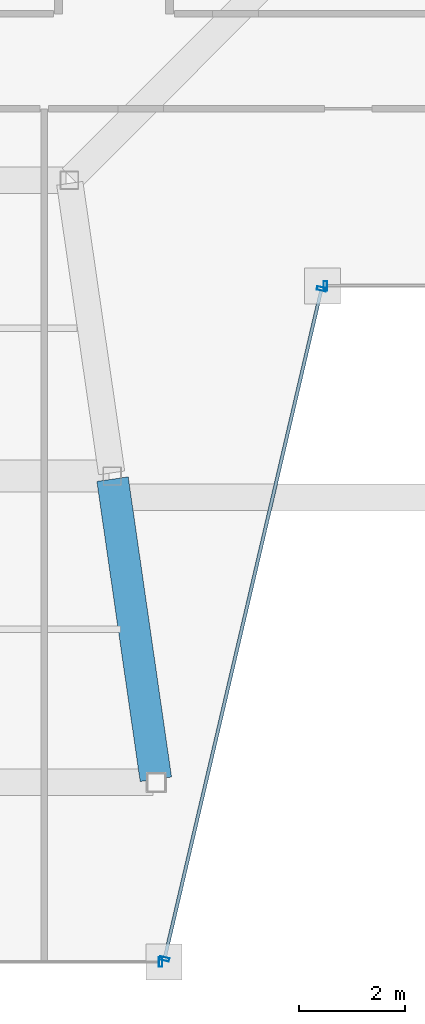
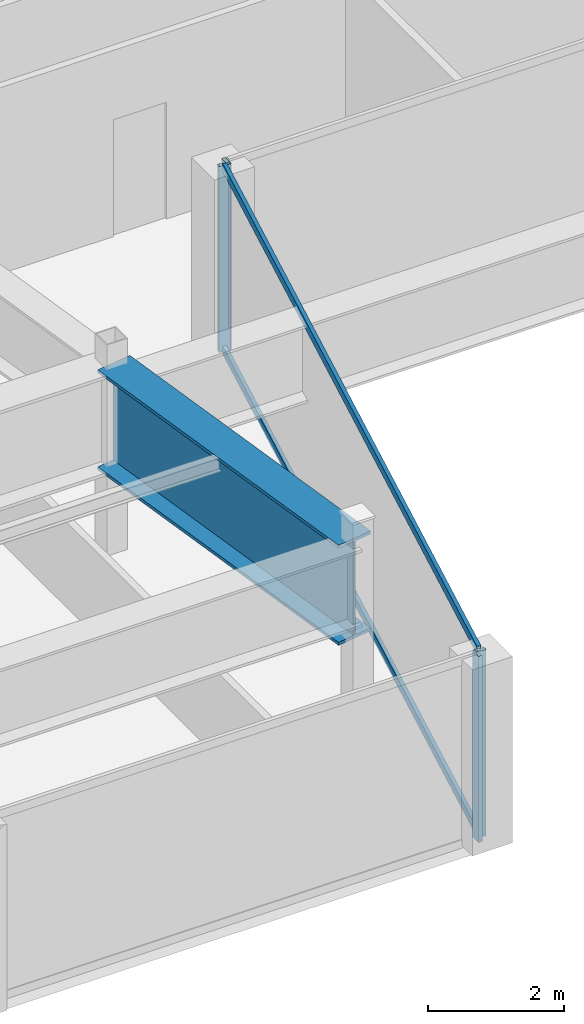
# One storey, part 6 of 30: 6 members, 1 beam, 3 elements without a shape of their own.
"""IFC4 building model written with IfcOpenShell, lengths in metres."""

from ifc_helpers import new_model, si_unit, direction, frame, origin, origin_2d, place, context, subcontext, project, spatial, hollow_rectangle, i_section, extrude, material, material_profile, profile_set, type_object, element, aggregate, save


model = new_model("IFC4")

# Units and contexts
model_context = context("Model", 3, precision=1e-05, world=origin(), true_north=direction((0.0, 1.0)))
body_context = subcontext(model_context, "Body", "Model", "MODEL_VIEW")
ifc_project = project(units=[si_unit("LENGTHUNIT", "METRE"), si_unit("AREAUNIT", "SQUARE_METRE"), si_unit("VOLUMEUNIT", "CUBIC_METRE"), si_unit("PLANEANGLEUNIT", "RADIAN"), si_unit("MASSUNIT", "GRAM", prefix="KILO")], contexts=[model_context])

# Site, building, storey
site_placement = place(None, origin())
site = spatial("IfcSite", under=ifc_project, at=site_placement, CompositionType="ELEMENT")
building_placement = place(site_placement, origin())
building = spatial("IfcBuilding", under=site, at=building_placement, Name="Saevonmaru Cultural Tower", CompositionType="ELEMENT")
storey_placement = place(building_placement, frame((0.0, 0.0, 272.39990234375)))
storey = spatial("IfcBuildingStorey", under=building, at=storey_placement, Name="L64", CompositionType="ELEMENT", Elevation=272.39990234375)

# Beam
ifc_material_1 = material(Name="Steel HSA600 (600 MPa)", Category="steel")
ifc_material_profile_1 = material_profile(ifc_material_1, i_section(OverallWidth=0.60009765625, OverallDepth=1.800048828125, WebThickness=0.028076171875, FlangeThickness=0.054931640625, at=origin_2d()), Name="PG-1800x600x28x55")
ifc_profile_set_1 = profile_set([ifc_material_profile_1], Name="Steel HSA600 (600 MPa)")
beam_type = type_object("IfcBeamType", Name="BM-TG-PG1800", PredefinedType="BEAM", material=ifc_profile_set_1)
beam_placement = place(storey_placement, frame((20.4453125, 26.259521484375, 2.4501953125), z_axis=(-0.142826510921, 0.989747739466, 0.0), x_axis=(-0.989747739466, -0.142826510921, 0.0)))
element("IfcBeam", 1, at=beam_placement, inside=storey, type_object=beam_type, Name="L64 West Atrium Girder 1", PredefinedType="BEAM", context=body_context, shape_type="SweptSolid", body=[
    extrude(i_section(OverallWidth=0.60009765625, OverallDepth=1.800048828125, WebThickness=0.028076171875, FlangeThickness=0.054931640625, at=origin_2d()), origin(), (0.0, 0.0, 1.0), 5.739990234375),
])

# Curtain wall, member
ifc_material_2 = material(Name="Satin Bronze Anodised Aluminium", Category="aluminium")
curtain_wall_type = type_object("IfcCurtainWallType", Name="CW-TYP-B", PredefinedType="NOTDEFINED", material=ifc_material_2)
curtain_wall_1_placement = place(storey_placement, origin())
curtain_wall_1 = element("IfcCurtainWall", 2, at=curtain_wall_1_placement, inside=storey, type_object=curtain_wall_type, Name="L64 Unitised Curtain Wall E2", PredefinedType="NOTDEFINED")
ifc_material_profile_2 = material_profile(ifc_material_2, hollow_rectangle(XDim=0.06494140625, YDim=0.179931640625, WallThickness=0.00390625, at=origin_2d()), Name="ALU-MULL-180x65x4")
ifc_profile_set_2 = profile_set([ifc_material_profile_2], Name="Satin Bronze Anodised Aluminium")
member_type_1 = type_object("IfcMemberType", Name="ML-CW-180x65", PredefinedType="MULLION", material=ifc_profile_set_2)
member_1_placement = place(storey_placement, frame((20.53564453125, 22.800048828125, 0.0), z_axis=(0.0, 0.0, 1.0), x_axis=(1.0, 0.0, 0.0)))
member_1 = element("IfcMember", 3, at=member_1_placement, type_object=member_type_1, Name="CW-TW-L64-E2 mullion 2", PredefinedType="MULLION", context=body_context, shape_type="SweptSolid", body=[
    extrude(hollow_rectangle(XDim=0.06494140625, YDim=0.179931640625, WallThickness=0.00390625, at=origin_2d()), origin(), (0.0, 0.0, 1.0), 3.35009765625),
])
aggregate(curtain_wall_1, [member_1])

# Curtain wall, members
curtain_wall_2_placement = place(storey_placement, origin())
curtain_wall_2 = element("IfcCurtainWall", 4, at=curtain_wall_2_placement, inside=storey, type_object=curtain_wall_type, Name="L64 Unitised Curtain Wall E3", PredefinedType="NOTDEFINED")
member_2_placement = place(storey_placement, frame((20.609375, 22.8583984375, 0.0), z_axis=(0.0, 0.0, 1.0), x_axis=(0.228189509449, 0.973616735568, 0.0)))
member_2 = element("IfcMember", 5, at=member_2_placement, type_object=member_type_1, Name="CW-TW-L64-E3 mullion 1", PredefinedType="MULLION", context=body_context, shape_type="SweptSolid", body=[
    extrude(hollow_rectangle(XDim=0.06494140625, YDim=0.179931640625, WallThickness=0.00390625, at=origin_2d()), origin(), (0.0, 0.0, 1.0), 3.35009765625),
])
member_3_placement = place(storey_placement, frame((23.581787109375, 35.54150390625, 0.0), z_axis=(0.0, 0.0, 1.0), x_axis=(0.228189509449, 0.973616735568, 0.0)))
member_3 = element("IfcMember", 6, at=member_3_placement, type_object=member_type_1, Name="CW-TW-L64-E3 mullion 2", PredefinedType="MULLION", context=body_context, shape_type="SweptSolid", body=[
    extrude(hollow_rectangle(XDim=0.06494140625, YDim=0.179931640625, WallThickness=0.00390625, at=origin_2d()), origin(), (0.0, 0.0, 1.0), 3.35009765625),
])

# Curtain wall, member
curtain_wall_3_placement = place(storey_placement, origin())
curtain_wall_3 = element("IfcCurtainWall", 7, at=curtain_wall_3_placement, inside=storey, type_object=curtain_wall_type, Name="L64 Unitised Curtain Wall E4", PredefinedType="NOTDEFINED")
member_4_placement = place(storey_placement, frame((23.655517578125, 35.60009765625, 0.0), z_axis=(0.0, 0.0, 1.0), x_axis=(1.0, 0.0, 0.0)))
member_4 = element("IfcMember", 8, at=member_4_placement, type_object=member_type_1, Name="CW-TW-L64-E4 mullion 1", PredefinedType="MULLION", context=body_context, shape_type="SweptSolid", body=[
    extrude(hollow_rectangle(XDim=0.06494140625, YDim=0.179931640625, WallThickness=0.00390625, at=origin_2d()), origin(), (0.0, 0.0, 1.0), 3.35009765625),
])
aggregate(curtain_wall_3, [member_4])

# Member
ifc_material_profile_3 = material_profile(ifc_material_2, hollow_rectangle(XDim=0.06494140625, YDim=0.14990234375, WallThickness=0.00390625, at=origin_2d()), Name="ALU-TRAN-150x65x4")
ifc_profile_set_3 = profile_set([ifc_material_profile_3], Name="Satin Bronze Anodised Aluminium")
member_type_2 = type_object("IfcMemberType", Name="TR-CW-150x65", PredefinedType="USERDEFINED", material=ifc_profile_set_3)
member_5_placement = place(storey_placement, frame((20.61669921875, 22.89013671875, 0.03271484375), z_axis=(0.228189927903, 0.973616637493, 0.0), x_axis=(-0.973616637493, 0.228189927903, 0.0)))
member_5 = element("IfcMember", 9, at=member_5_placement, type_object=member_type_2, Name="CW-TW-L64-E3 transom 1.1", ObjectType="TRANSOM", PredefinedType="USERDEFINED", context=body_context, shape_type="SweptSolid", body=[
    extrude(hollow_rectangle(XDim=0.06494140625, YDim=0.14990234375, WallThickness=0.00390625, at=origin_2d()), origin(), (0.0, 0.0, 1.0), 12.9619140625),
])

member_6_placement = place(storey_placement, frame((20.61669921875, 22.89013671875, 3.317626953125), z_axis=(0.228189927903, 0.973616637493, 0.0), x_axis=(-0.973616637493, 0.228189927903, 0.0)))
member_6 = element("IfcMember", 10, at=member_6_placement, type_object=member_type_2, Name="CW-TW-L64-E3 transom 1.2", ObjectType="TRANSOM", PredefinedType="USERDEFINED", context=body_context, shape_type="SweptSolid", body=[
    extrude(hollow_rectangle(XDim=0.06494140625, YDim=0.14990234375, WallThickness=0.00390625, at=origin_2d()), origin(), (0.0, 0.0, 1.0), 12.9619140625),
])

aggregate(curtain_wall_2, [member_2, member_3, member_5, member_6])

save(model, "model.ifc")
